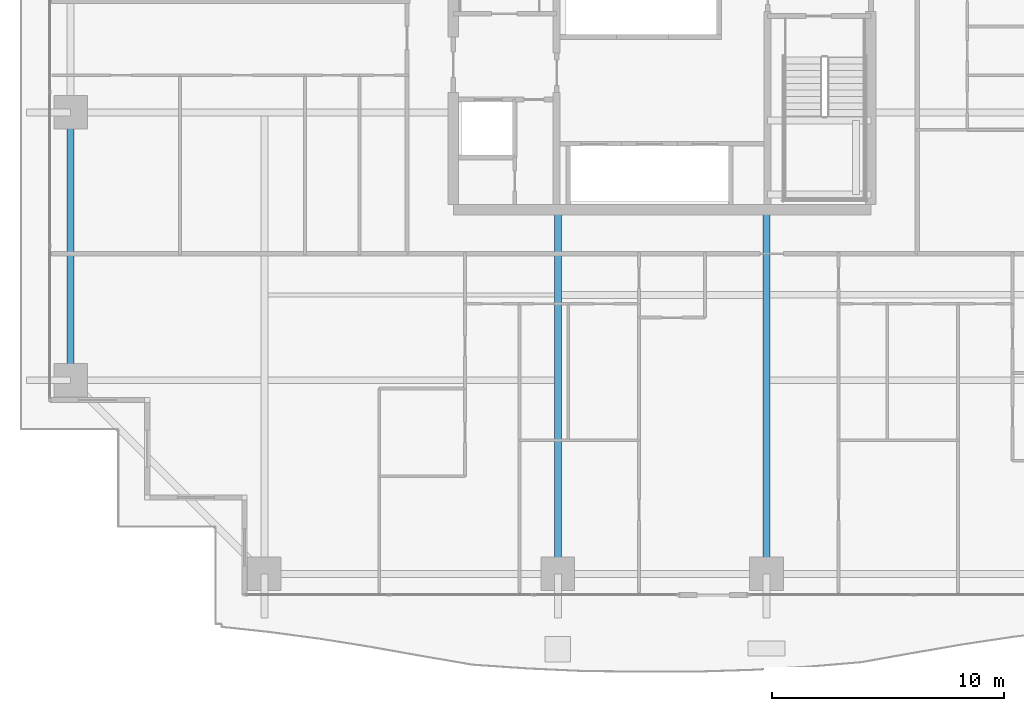
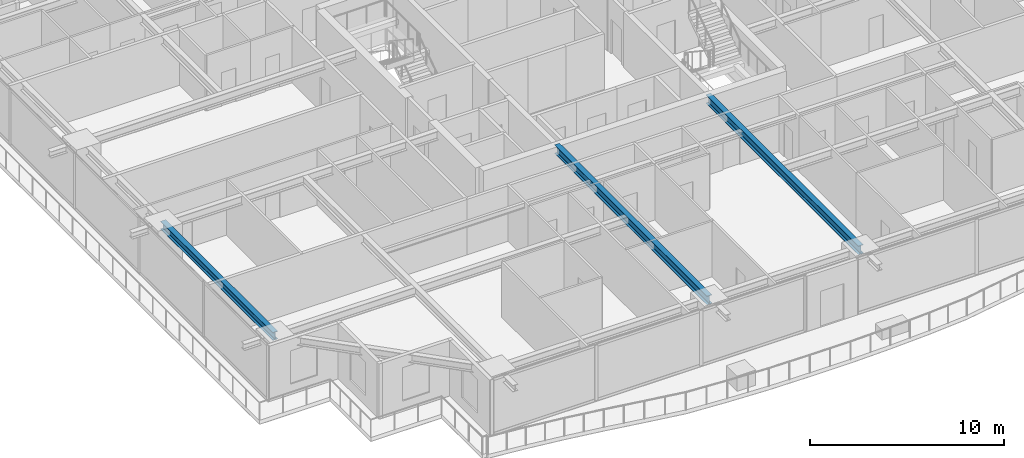
# One storey, part 6 of 39: 3 beams.
"""IFC4 building model written with IfcOpenShell, lengths in metres."""

from ifc_helpers import new_model, si_unit, direction, frame, origin, origin_2d, place, context, subcontext, project, spatial, i_section, extrude, source, transform, mapped, material, material_profile, profile_set, type_object, element, save


model = new_model("IFC4")

# Units and contexts
model_context = context("Model", 3, precision=1e-05, world=origin(), true_north=direction((0.0, 1.0)))
body_context = subcontext(model_context, "Body", "Model", "MODEL_VIEW")
ifc_project = project(units=[si_unit("LENGTHUNIT", "METRE"), si_unit("AREAUNIT", "SQUARE_METRE"), si_unit("VOLUMEUNIT", "CUBIC_METRE"), si_unit("PLANEANGLEUNIT", "RADIAN"), si_unit("MASSUNIT", "GRAM", prefix="KILO")], contexts=[model_context])

# Site, building, storey
site_placement = place(None, origin())
site = spatial("IfcSite", under=ifc_project, at=site_placement, CompositionType="ELEMENT")
building_placement = place(site_placement, origin())
building = spatial("IfcBuilding", under=site, at=building_placement, Name="Serunith Strait Residences", CompositionType="ELEMENT")
storey_placement = place(building_placement, frame((0.0, 0.0, 49.199951171875)))
storey = spatial("IfcBuildingStorey", under=building, at=storey_placement, Name="L11", CompositionType="ELEMENT", Elevation=49.199951171875)

# Beams
ifc_material = material(Name="Steel S355J2", Category="steel")
ifc_material_profile_1 = material_profile(ifc_material, i_section(OverallWidth=0.300048828125, OverallDepth=0.550048828125, WebThickness=0.014892578125, FlangeThickness=0.029052734375, FilletRadius=0.027099609375, at=origin_2d()), Name="HEB 550")
ifc_profile_set_1 = profile_set([ifc_material_profile_1], Name="Steel S355J2")
beam_type_1 = type_object("IfcBeamType", Name="BM-HEB550", PredefinedType="BEAM", material=ifc_profile_set_1)
shared_shape_1 = source(origin(), body_context, "Body", "SweptSolid", [
    extrude(i_section(OverallWidth=0.300048828125, OverallDepth=0.550048828125, WebThickness=0.014892578125, FlangeThickness=0.029052734375, FilletRadius=0.027099609375, at=origin_2d()), origin(), (0.0, 0.0, 1.0), 15.699951171875),
])
for number, where, z_axis, x_axis, name in (
    (1, (27.89990234375, 16.800048828125, 3.212158203125), (0.0, -1.0, 0.0), (1.0, 0.0, 0.0), "L11 Primary Floor Girder TC-S2"),
    (2, (36.89990234375, 16.800048828125, 3.212158203125), (0.0, -1.0, 0.0), (1.0, 0.0, 0.0), "L11 Primary Floor Girder TC-S3"),
):
    element("IfcBeam", number, at=place(storey_placement, frame(where, z_axis=z_axis, x_axis=x_axis)), inside=storey, type_object=beam_type_1, Name=name, PredefinedType="BEAM", context=body_context, shape_type="MappedRepresentation", body=[
        mapped(shared_shape_1, transform((0.0, 0.0, 0.0), scale=1.0)),
    ])
ifc_material_profile_2 = material_profile(ifc_material, i_section(OverallWidth=0.300048828125, OverallDepth=0.5, WebThickness=0.014404296875, FlangeThickness=0.028076171875, FilletRadius=0.027099609375, at=origin_2d()), Name="HEB 500")
ifc_profile_set_2 = profile_set([ifc_material_profile_2], Name="Steel S355J2")
beam_type_2 = type_object("IfcBeamType", Name="BM-HEB500", PredefinedType="BEAM", material=ifc_profile_set_2)
shared_shape_2 = source(origin(), body_context, "Body", "SweptSolid", [
    extrude(i_section(OverallWidth=0.300048828125, OverallDepth=0.5, WebThickness=0.014404296875, FlangeThickness=0.028076171875, FilletRadius=0.027099609375, at=origin_2d()), origin(), (0.0, 0.0, 1.0), 11.550048828125),
])
beam_placement = place(storey_placement, frame((6.89990234375, 21.0, 3.237060546875), z_axis=(0.0, -1.0, 0.0), x_axis=(1.0, 0.0, 0.0)))
element("IfcBeam", 3, at=beam_placement, inside=storey, type_object=beam_type_2, Name="L11 Perimeter Ring Beam 15", PredefinedType="BEAM", context=body_context, shape_type="MappedRepresentation", body=[
    mapped(shared_shape_2, transform((0.0, 0.0, 0.0), scale=1.0)),
])

save(model, "model.ifc")
